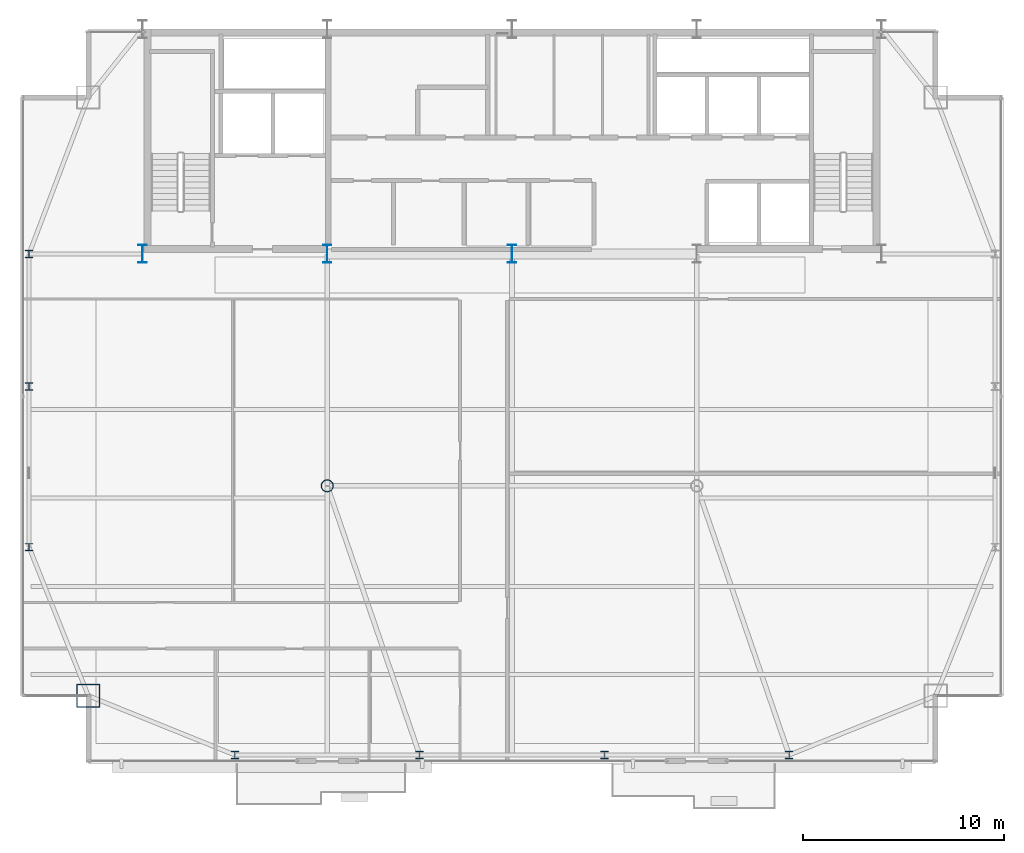
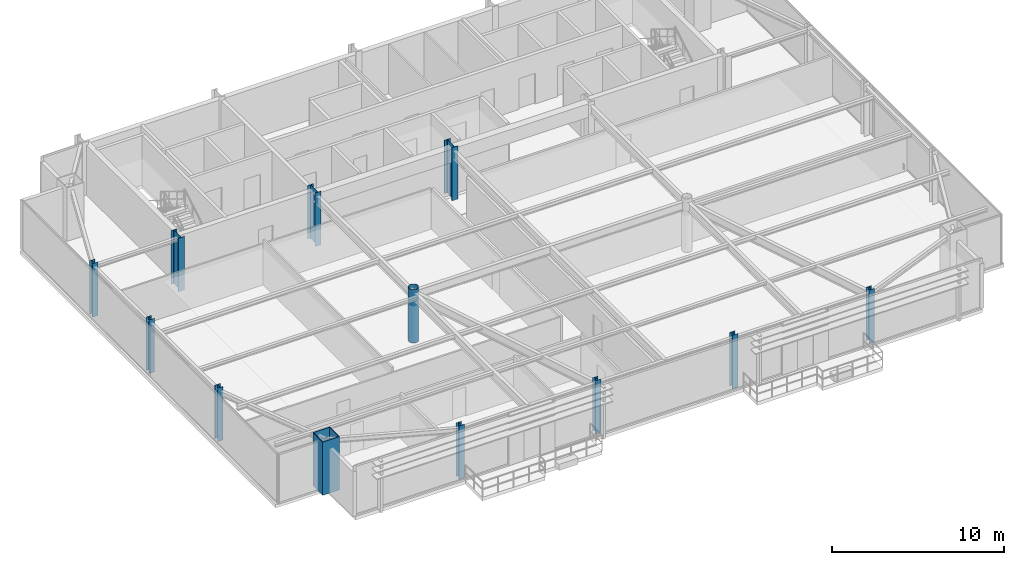
# One storey, part 1 of 30: 12 columns.
"""IFC4 building model written with IfcOpenShell, lengths in metres."""

from ifc_helpers import new_model, si_unit, direction, frame, origin, origin_2d, place, context, subcontext, project, spatial, hollow_rectangle, hollow_circle, i_section, extrude, source, transform, mapped, material, material_profile, profile_set, type_object, type_shapes, element, save


model = new_model("IFC4")

# Units and contexts
model_context = context("Model", 3, precision=1e-05, world=origin(), true_north=direction((0.0, 1.0)))
body_context = subcontext(model_context, "Body", "Model", "MODEL_VIEW")
ifc_project = project(units=[si_unit("LENGTHUNIT", "METRE"), si_unit("AREAUNIT", "SQUARE_METRE"), si_unit("VOLUMEUNIT", "CUBIC_METRE"), si_unit("PLANEANGLEUNIT", "RADIAN"), si_unit("MASSUNIT", "GRAM", prefix="KILO")], contexts=[model_context])

# Site, building, storey
site_placement = place(None, origin())
site = spatial("IfcSite", under=ifc_project, at=site_placement, CompositionType="ELEMENT")
building_placement = place(site_placement, origin())
building = spatial("IfcBuilding", under=site, at=building_placement, Name="Varnel Quay Broadcast Tower", CompositionType="ELEMENT")
storey_placement = place(building_placement, frame((0.0, 0.0, 222.60009765625)))
storey = spatial("IfcBuildingStorey", under=building, at=storey_placement, Name="L55", CompositionType="ELEMENT", Elevation=222.60009765625)

# Columns
ifc_material_1 = material(Name="Structural Steel CSA G40.21 350WT", Category="steel")
ifc_material_profile_1 = material_profile(ifc_material_1, i_section(OverallWidth=0.39990234375, OverallDepth=0.89990234375, WebThickness=0.01611328125, FlangeThickness=0.028076171875, FilletRadius=0.01611328125, at=origin_2d()), Name="WWF900X309")
ifc_profile_set_1 = profile_set([ifc_material_profile_1], Name="Structural Steel CSA G40.21 350WT")
column_type_1 = type_object("IfcColumnType", Name="Col_WWF900X309", PredefinedType="COLUMN", material=ifc_profile_set_1)
shared_shape_1 = source(origin(), body_context, "Body", "SweptSolid", [
    extrude(i_section(OverallWidth=0.39990234375, OverallDepth=0.89990234375, WebThickness=0.01611328125, FlangeThickness=0.028076171875, FilletRadius=0.01611328125, at=origin_2d()), origin(), (0.0, 0.0, 1.0), 3.7998046875),
])
type_shapes(column_type_1, [shared_shape_1])
for number, where, z_axis, x_axis, name in (
    (1, (15.60009765625, 35.60009765625, 0.0), (0.0, 0.0, 1.0), (1.0, 0.0, 0.0), "L55 Column CC-S1"),
    (2, (24.800048828125, 35.60009765625, 0.0), (0.0, 0.0, 1.0), (1.0, 0.0, 0.0), "L55 Column CC-S2"),
    (3, (34.0, 35.60009765625, 0.0), (0.0, 0.0, 1.0), (1.0, 0.0, 0.0), "L55 Column CC-S3"),
):
    element("IfcColumn", number, at=place(storey_placement, frame(where, z_axis=z_axis, x_axis=x_axis)), inside=storey, type_object=column_type_1, Name=name, PredefinedType="COLUMN", context=body_context, shape_type="MappedRepresentation", body=[
        mapped(shared_shape_1, transform((0.0, 0.0, 0.0), x_axis=(1.0, 0.0, 0.0), y_axis=(0.0, 1.0, 0.0), z_axis=(0.0, 0.0, 1.0), scale=1.0)),
    ])
ifc_material_profile_2 = material_profile(ifc_material_1, hollow_rectangle(XDim=1.14990234375, YDim=1.14990234375, WallThickness=0.044921875, at=origin_2d()), Name="BOX1150X1150X45")
ifc_profile_set_2 = profile_set([ifc_material_profile_2], Name="Structural Steel CSA G40.21 350WT")
column_type_2 = type_object("IfcColumnType", Name="Col_BOX1150X1150X45", PredefinedType="COLUMN", material=ifc_profile_set_2)
shared_shape_2 = source(origin(), body_context, "Body", "SweptSolid", [
    extrude(hollow_rectangle(XDim=1.14990234375, YDim=1.14990234375, WallThickness=0.044921875, at=origin_2d()), origin(), (0.0, 0.0, 1.0), 3.7998046875),
])
type_shapes(column_type_2, [shared_shape_2])
column_1_placement = place(storey_placement, frame((12.89990234375, 13.60009765625, 0.0), z_axis=(0.0, 0.0, 1.0), x_axis=(1.0, 0.0, 0.0)))
element("IfcColumn", 4, at=column_1_placement, inside=storey, type_object=column_type_2, Name="L55 Column MC-SW", PredefinedType="COLUMN", context=body_context, shape_type="MappedRepresentation", body=[
    mapped(shared_shape_2, transform((0.0, 0.0, 0.0), x_axis=(1.0, 0.0, 0.0), y_axis=(0.0, 1.0, 0.0), z_axis=(0.0, 0.0, 1.0), scale=1.0)),
])
ifc_material_2 = material(Name="Structural Steel CSA G40.21 350W", Category="steel")
ifc_material_profile_3 = material_profile(ifc_material_2, i_section(OverallWidth=0.368896484375, OverallDepth=0.35595703125, WebThickness=0.01123046875, FlangeThickness=0.01806640625, FilletRadius=0.01611328125, at=origin_2d()), Name="W360X134")
ifc_profile_set_3 = profile_set([ifc_material_profile_3], Name="Structural Steel CSA G40.21 350W")
column_type_3 = type_object("IfcColumnType", Name="Col_W360X134", PredefinedType="COLUMN", material=ifc_profile_set_3)
shared_shape_3 = source(origin(), body_context, "Body", "SweptSolid", [
    extrude(i_section(OverallWidth=0.368896484375, OverallDepth=0.35595703125, WebThickness=0.01123046875, FlangeThickness=0.01806640625, FilletRadius=0.01611328125, at=origin_2d()), origin(), (0.0, 0.0, 1.0), 3.7998046875),
])
type_shapes(column_type_3, [shared_shape_3])
for number, where, z_axis, x_axis, name in (
    (5, (20.199951171875, 10.64990234375, 0.0), (0.0, 0.0, 1.0), (1.0, 0.0, 0.0), "L55 Column TC-S1"),
    (6, (29.39990234375, 10.64990234375, 0.0), (0.0, 0.0, 1.0), (1.0, 0.0, 0.0), "L55 Column TC-S2"),
    (7, (38.60009765625, 10.64990234375, 0.0), (0.0, 0.0, 1.0), (1.0, 0.0, 0.0), "L55 Column TC-S3"),
    (8, (47.800048828125, 10.64990234375, 0.0), (0.0, 0.0, 1.0), (1.0, 0.0, 0.0), "L55 Column TC-S4"),
    (9, (9.949951171875, 21.0, 0.0), (0.0, 0.0, 1.0), (1.0, 0.0, 0.0), "L55 Column TC-W1"),
    (10, (9.949951171875, 29.0, 0.0), (0.0, 0.0, 1.0), (1.0, 0.0, 0.0), "L55 Column TC-W2"),
    (11, (9.949951171875, 35.60009765625, 0.0), (0.0, 0.0, 1.0), (1.0, 0.0, 0.0), "L55 Column TC-W3"),
):
    element("IfcColumn", number, at=place(storey_placement, frame(where, z_axis=z_axis, x_axis=x_axis)), inside=storey, type_object=column_type_3, Name=name, PredefinedType="COLUMN", context=body_context, shape_type="MappedRepresentation", body=[
        mapped(shared_shape_3, transform((0.0, 0.0, 0.0), x_axis=(1.0, 0.0, 0.0), y_axis=(0.0, 1.0, 0.0), z_axis=(0.0, 0.0, 1.0), scale=1.0)),
    ])
ifc_material_profile_4 = material_profile(ifc_material_2, hollow_circle(Radius=0.304931640625, WallThickness=0.02490234375, at=origin_2d()), Name="CHS610X25")
ifc_profile_set_4 = profile_set([ifc_material_profile_4], Name="Structural Steel CSA G40.21 350W")
column_type_4 = type_object("IfcColumnType", Name="Col_CHS610X25", PredefinedType="COLUMN", material=ifc_profile_set_4)
shared_shape_4 = source(origin(), body_context, "Body", "SweptSolid", [
    extrude(hollow_circle(Radius=0.304931640625, WallThickness=0.02490234375, at=origin_2d()), origin(), (0.0, 0.0, 1.0), 3.7998046875),
])
type_shapes(column_type_4, [shared_shape_4])
column_2_placement = place(storey_placement, frame((24.800048828125, 24.050048828125, 0.0), z_axis=(0.0, 0.0, 1.0), x_axis=(1.0, 0.0, 0.0)))
element("IfcColumn", 12, at=column_2_placement, inside=storey, type_object=column_type_4, Name="L55 Column IC-01", PredefinedType="COLUMN", context=body_context, shape_type="MappedRepresentation", body=[
    mapped(shared_shape_4, transform((0.0, 0.0, 0.0), x_axis=(1.0, 0.0, 0.0), y_axis=(0.0, 1.0, 0.0), z_axis=(0.0, 0.0, 1.0), scale=1.0)),
])

save(model, "model.ifc")
